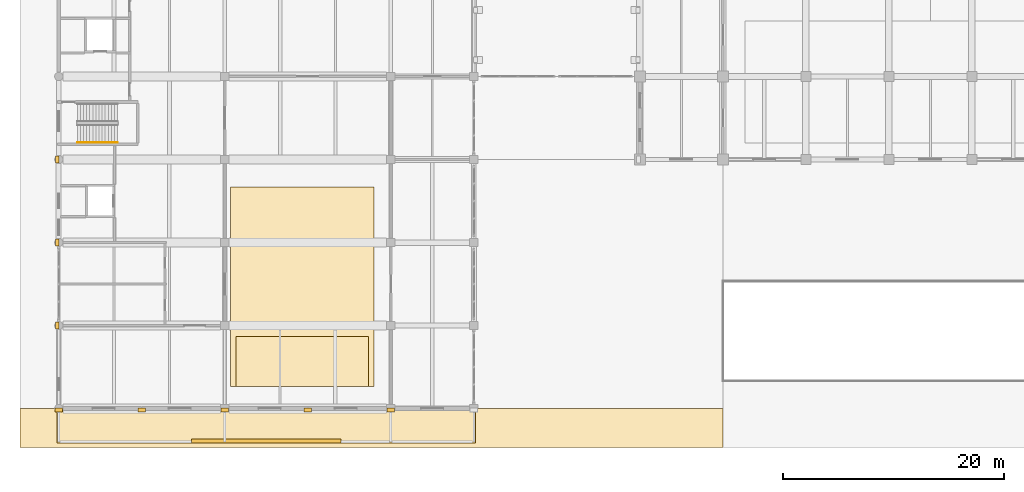
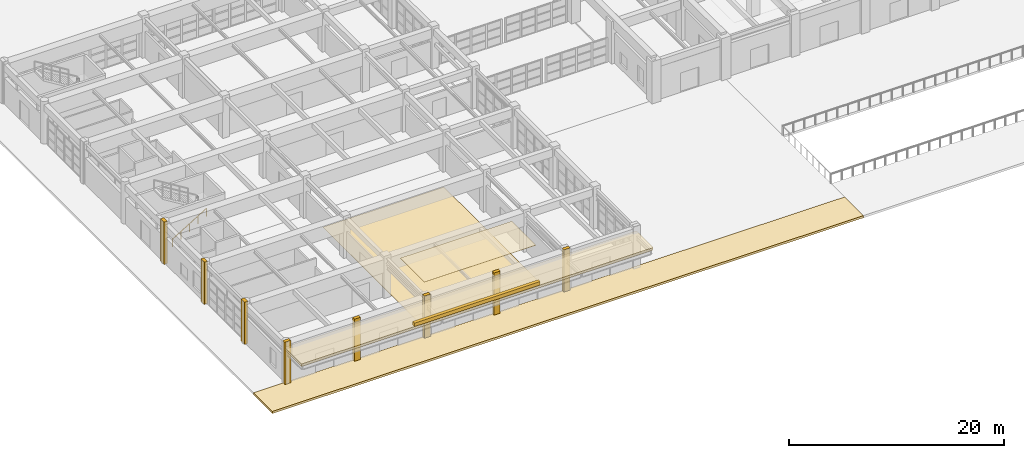
# One storey, part 104 of 122: 13 coverings, 1 railing.
"""IFC4 building model written with IfcOpenShell, lengths in metres."""

from ifc_helpers import new_model, si_unit, direction, frame, origin, origin_2d, place, context, subcontext, project, spatial, polyline, rectangle, circle, outline, extrude, material, layer, layer_set, type_object, element, save


model = new_model("IFC4")

# Units and contexts
model_context = context("Model", 3, precision=1e-05, world=origin(), true_north=direction((0.0, 1.0)))
body_context = subcontext(model_context, "Body", "Model", "MODEL_VIEW")
ifc_project = project(units=[si_unit("LENGTHUNIT", "METRE"), si_unit("AREAUNIT", "SQUARE_METRE"), si_unit("VOLUMEUNIT", "CUBIC_METRE"), si_unit("PLANEANGLEUNIT", "RADIAN"), si_unit("MASSUNIT", "GRAM", prefix="KILO")], contexts=[model_context])

# Site, building, storey
site_placement = place(None, origin())
site = spatial("IfcSite", under=ifc_project, at=site_placement, CompositionType="ELEMENT")
building_placement = place(site_placement, origin())
building = spatial("IfcBuilding", under=site, at=building_placement, Name="Qasida Concert Hall", CompositionType="ELEMENT")
storey_placement = place(building_placement, origin())
storey = spatial("IfcBuildingStorey", under=building, at=storey_placement, Name="L00", CompositionType="ELEMENT", Elevation=0.0)

# Coverings
ifc_material_1 = material(Name="Sculpted fibrous plaster acoustic reflector ceiling", Category="gypsum")
ifc_layer_1 = layer(ifc_material_1, 0.0400390625, Name="Sculpted fibrous plaster acoustic reflector ceiling")
ifc_layer_set_1 = layer_set([ifc_layer_1], Name="Sculpted fibrous plaster acoustic reflector ceiling")
covering_type_1 = type_object("IfcCoveringType", Name="CV-CE-1", PredefinedType="CEILING", material=ifc_layer_set_1)
covering_1_placement = place(storey_placement, frame((0.0, 0.0, 4.47998046875)))
element("IfcCovering", 1, at=covering_1_placement, inside=storey, type_object=covering_type_1, Name="L00 acoustic reflector ceiling 01", PredefinedType="CEILING", context=body_context, shape_type="SweptSolid", body=[
    extrude(outline(polyline([(16.0, 2.0), (28.0, 2.0), (28.0, 6.5), (16.0, 6.5), (16.0, 2.0)])), origin(), (0.0, 0.0, 1.0), 0.0400390625),
])
ifc_material_2 = material(Name="Quarter-sawn European oak stage and parterre flooring", Category="wood")
ifc_layer_2 = layer(ifc_material_2, 0.030029296875, Name="Quarter-sawn European oak stage and parterre flooring")
ifc_layer_set_2 = layer_set([ifc_layer_2], Name="Quarter-sawn European oak stage and parterre flooring")
covering_type_2 = type_object("IfcCoveringType", Name="CV-FL-1", PredefinedType="FLOORING", material=ifc_layer_set_2)
covering_2_placement = place(storey_placement, origin())
element("IfcCovering", 2, at=covering_2_placement, inside=storey, type_object=covering_type_2, Name="L00 acoustic timber flooring 02", PredefinedType="FLOORING", context=body_context, shape_type="SweptSolid", body=[
    extrude(outline(polyline([(15.5, 2.0), (28.5, 2.0), (28.5, 20.0), (15.5, 20.0), (15.5, 2.0)])), origin(), (0.0, 0.0, 1.0), 0.030029296875),
])
ifc_material_3 = material(Name="Patinated architectural bronze Art Deco marquee", Category="aluminium")
ifc_layer_3 = layer(ifc_material_3, 0.280029296875, Name="Patinated architectural bronze Art Deco marquee")
ifc_layer_set_3 = layer_set([ifc_layer_3], Name="Patinated architectural bronze Art Deco marquee")
covering_type_3 = type_object("IfcCoveringType", Name="CV-MRQ-120", PredefinedType="CLADDING", material=ifc_layer_set_3)
covering_3_placement = place(storey_placement, frame((0.0, 0.0, 3.675048828125)))
element("IfcCovering", 3, at=covering_3_placement, inside=storey, type_object=covering_type_3, Name="Grand foyer bronze Art Deco entrance marquee", PredefinedType="CLADDING", context=body_context, shape_type="SweptSolid", body=[
    extrude(outline(polyline([(-0.14990234375, -3.10009765625), (37.64990234375, -3.10009765625), (37.64990234375, 0.050048828125), (-0.14990234375, 0.050048828125), (-0.14990234375, -3.10009765625)])), origin(), (0.0, 0.0, 1.0), 0.280029296875),
])
covering_4_placement = place(storey_placement, frame((0.0, 0.0, 3.955078125)))
element("IfcCovering", 4, at=covering_4_placement, inside=storey, type_object=covering_type_3, Name="Grand foyer Art Deco stepped marquee crest", PredefinedType="CLADDING", context=body_context, shape_type="SweptSolid", body=[
    extrude(outline(polyline([(12.0, -3.10009765625), (25.5, -3.10009765625), (25.5, -2.75), (12.0, -2.75), (12.0, -3.10009765625)])), origin(), (0.0, 0.0, 1.0), 0.39501953125),
])
ifc_material_4 = material(Name="Bush-hammered Lebanese limestone plaza paving", Category="masonry")
ifc_layer_4 = layer(ifc_material_4, 0.25, Name="Bush-hammered Lebanese limestone plaza paving")
ifc_layer_set_4 = layer_set([ifc_layer_4], Name="Bush-hammered Lebanese limestone plaza paving")
covering_type_4 = type_object("IfcCoveringType", Name="CV-PAV-250", PredefinedType="FLOORING", material=ifc_layer_set_4)
covering_5_placement = place(storey_placement, frame((0.0, 0.0, -0.25)))
element("IfcCovering", 5, at=covering_5_placement, inside=storey, type_object=covering_type_4, Name="L00 South boulevard promenade west", PredefinedType="FLOORING", context=body_context, shape_type="SweptSolid", body=[
    extrude(outline(polyline([(-3.5, -3.5), (60.0, -3.5), (60.0, 0.0), (-3.5, 0.0), (-3.5, -3.5)])), origin(), (0.0, 0.0, 1.0), 0.25),
])
ifc_material_5 = material(Name="Projecting fluted Lebanese limestone Art Deco pilaster", Category="masonry")
ifc_layer_5 = layer(ifc_material_5, 0.35009765625, Name="Projecting fluted Lebanese limestone Art Deco pilaster")
ifc_layer_set_5 = layer_set([ifc_layer_5], Name="Projecting fluted Lebanese limestone Art Deco pilaster")
covering_type_5 = type_object("IfcCoveringType", Name="CV-PIL-650", PredefinedType="CLADDING", material=ifc_layer_set_5)
for number, where, z_axis, x_axis, name in (
    (6, (0.0, -0.135009765625, 0.0), (0.0, 0.0, 1.0), (1.0, 0.0, 0.0), "L00 fluted limestone pilaster 0141"),
    (7, (7.5, -0.135009765625, 0.0), (0.0, 0.0, 1.0), (1.0, 0.0, 0.0), "L00 fluted limestone pilaster 0145"),
    (8, (15.0, -0.135009765625, 0.0), (0.0, 0.0, 1.0), (1.0, 0.0, 0.0), "L00 fluted limestone pilaster 0149"),
    (9, (22.5, -0.135009765625, 0.0), (0.0, 0.0, 1.0), (1.0, 0.0, 0.0), "L00 fluted limestone pilaster 0153"),
    (10, (30.0, -0.135009765625, 0.0), (0.0, 0.0, 1.0), (1.0, 0.0, 0.0), "L00 fluted limestone pilaster 0157"),
):
    element("IfcCovering", number, at=place(storey_placement, frame(where, z_axis=z_axis, x_axis=x_axis)), inside=storey, type_object=covering_type_5, Name=name, PredefinedType="CLADDING", context=body_context, shape_type="SweptSolid", body=[
        extrude(rectangle(XDim=0.64990234375, YDim=0.35009765625, at=origin_2d()), origin(), (0.0, 0.0, 1.0), 4.800048828125),
    ])
for number, where, z_axis, x_axis, name in (
    (11, (-0.135009765625, 7.5, 0.0), (0.0, 0.0, 1.0), (1.0, 0.0, 0.0), "L00 fluted limestone pilaster 0165"),
    (12, (-0.135009765625, 15.0, 0.0), (0.0, 0.0, 1.0), (1.0, 0.0, 0.0), "L00 fluted limestone pilaster 0169"),
    (13, (-0.135009765625, 22.5, 0.0), (0.0, 0.0, 1.0), (1.0, 0.0, 0.0), "L00 fluted limestone pilaster 0173"),
):
    element("IfcCovering", number, at=place(storey_placement, frame(where, z_axis=z_axis, x_axis=x_axis)), inside=storey, type_object=covering_type_5, Name=name, PredefinedType="CLADDING", context=body_context, shape_type="SweptSolid", body=[
        extrude(rectangle(XDim=0.35009765625, YDim=0.64990234375, at=origin_2d()), origin(), (0.0, 0.0, 1.0), 4.800048828125),
    ])

# Railing
ifc_material_6 = material(Name="Patinated tubular architectural bronze", Category="steel")
ifc_layer_6 = layer(ifc_material_6, 0.050048828125, Name="Patinated tubular architectural bronze")
ifc_layer_set_6 = layer_set([ifc_layer_6], Name="Patinated tubular architectural bronze")
railing_type = type_object("IfcRailingType", Name="RL-HND-900", PredefinedType="HANDRAIL", material=ifc_layer_set_6)
railing_placement = place(storey_placement, frame((1.679931640625, 24.050048828125, 0.17138671875)))
element("IfcRailing", 14, at=railing_placement, inside=storey, type_object=railing_type, Name="L00 ST-03 stair handrail 1", PredefinedType="HANDRAIL", context=body_context, shape_type="SweptSolid", body=[
    extrude(circle(Radius=0.02392578125, at=origin_2d()), frame((0.0, 0.0, 0.8759765625), z_axis=(0.852865859571, 0.0, 0.52213008492), x_axis=(0.0, 1.0, 0.0)), (0.0, 0.0, 1.0), 4.26806640625),
    extrude(circle(Radius=0.02099609375, at=origin_2d()), origin(), (0.0, 0.0, 1.0), 0.851806640625),
    extrude(circle(Radius=0.02099609375, at=origin_2d()), frame((0.91015625, 0.0, 0.55712890625)), (0.0, 0.0, 1.0), 0.851806640625),
    extrude(circle(Radius=0.02099609375, at=origin_2d()), frame((1.820068359375, 0.0, 1.1142578125)), (0.0, 0.0, 1.0), 0.851806640625),
    extrude(circle(Radius=0.02099609375, at=origin_2d()), frame((2.72998046875, 0.0, 1.67138671875)), (0.0, 0.0, 1.0), 0.851806640625),
    extrude(circle(Radius=0.02099609375, at=origin_2d()), frame((3.64013671875, 0.0, 2.228515625)), (0.0, 0.0, 1.0), 0.851806640625),
])

save(model, "model.ifc")
